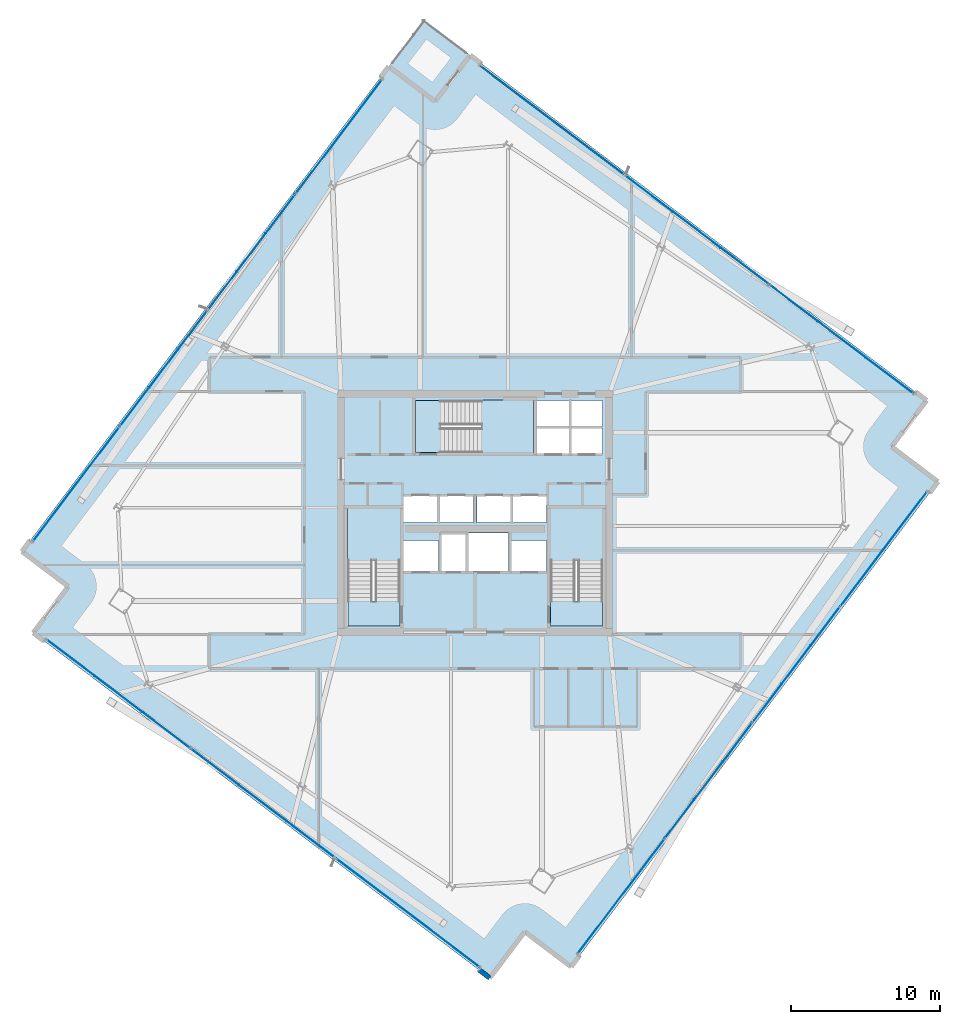
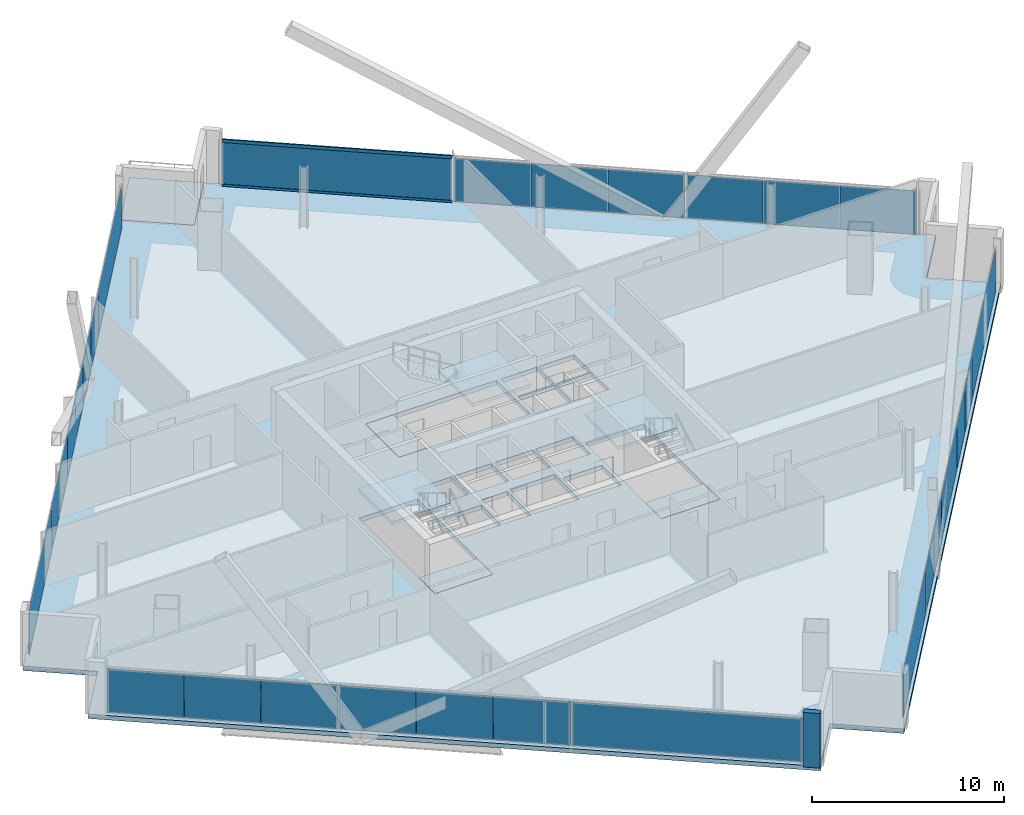
# One storey, part 25 of 34: 30 plates, 8 slabs, 2 members, 1 wall, 7 elements without a shape of their own.
"""IFC4 building model written with IfcOpenShell, lengths in metres."""

from ifc_helpers import new_model, si_unit, direction, frame, frame_2d, origin, origin_2d, place, context, subcontext, project, spatial, polyline, rectangle, hollow_rectangle, outline, extrude, source, transform, mapped, material, layer, layer_set, material_profile, profile_set, type_object, element, aggregate, save


model = new_model("IFC4")

# Units and contexts
model_context = context("Model", 3, precision=1e-05, world=origin(), true_north=direction((0.0, 1.0)))
body_context = subcontext(model_context, "Body", "Model", "MODEL_VIEW")
ifc_project = project(units=[si_unit("LENGTHUNIT", "METRE"), si_unit("AREAUNIT", "SQUARE_METRE"), si_unit("VOLUMEUNIT", "CUBIC_METRE"), si_unit("PLANEANGLEUNIT", "RADIAN"), si_unit("MASSUNIT", "GRAM", prefix="KILO")], contexts=[model_context])

# Site, building, storey
site_placement = place(None, origin())
site = spatial("IfcSite", under=ifc_project, at=site_placement, CompositionType="ELEMENT")
building_placement = place(site_placement, origin())
building = spatial("IfcBuilding", under=site, at=building_placement, Name="Haldenkirk Collegiate Tower", CompositionType="ELEMENT")
storey_placement = place(building_placement, frame((0.0, 0.0, 205.949951171875)))
storey = spatial("IfcBuildingStorey", under=building, at=storey_placement, Name="L51", CompositionType="ELEMENT", Elevation=205.949951171875)

# Curtain wall, members
ifc_material_1 = material(Name="Anodised architectural bronze aluminium", Category="aluminium")
curtain_wall_type_1 = type_object("IfcCurtainWallType", Name="CW-SYS1B-CONVEX-HI", PredefinedType="USERDEFINED", material=ifc_material_1)
curtain_wall_1_placement = place(storey_placement, origin())
curtain_wall_1 = element("IfcCurtainWall", 1, at=curtain_wall_1_placement, inside=storey, type_object=curtain_wall_type_1, Name="L51 Upper tower high-wind convex bronze unitised curtain wall", ObjectType="UNITISED CURTAIN WALL", PredefinedType="USERDEFINED")
ifc_material_profile = material_profile(ifc_material_1, hollow_rectangle(XDim=0.0849609375, YDim=0.199951171875, WallThickness=0.0048828125, at=origin_2d()), Name="CW-TRN-1B")
ifc_profile_set = profile_set([ifc_material_profile], Name="Anodised architectural bronze aluminium")
member_type = type_object("IfcMemberType", Name="CW-TRN-1B", PredefinedType="USERDEFINED", material=ifc_profile_set)
member_1_placement = place(storey_placement, frame((36.34033203125, 55.98388671875, 0.04248046875), z_axis=(0.797586241756, -0.60320492949, 0.0), x_axis=(0.60320492949, 0.797586241756, 0.0)))
member_1 = element("IfcMember", 2, at=member_1_placement, type_object=member_type, Name="CW-1B transom 1.1", ObjectType="TRANSOM", PredefinedType="USERDEFINED", context=body_context, shape_type="SweptSolid", body=[
    extrude(hollow_rectangle(XDim=0.0849609375, YDim=0.199951171875, WallThickness=0.0048828125, at=origin_2d()), origin(), (0.0, 0.0, 1.0), 12.072509765625),
])
member_2_placement = place(storey_placement, frame((36.34033203125, 55.98388671875, 2.885498046875), z_axis=(0.797586241756, -0.60320492949, 0.0), x_axis=(0.60320492949, 0.797586241756, 0.0)))
member_2 = element("IfcMember", 3, at=member_2_placement, type_object=member_type, Name="CW-1B transom 1.2", ObjectType="TRANSOM", PredefinedType="USERDEFINED", context=body_context, shape_type="SweptSolid", body=[
    extrude(hollow_rectangle(XDim=0.0849609375, YDim=0.199951171875, WallThickness=0.0048828125, at=origin_2d()), origin(), (0.0, 0.0, 1.0), 12.072509765625),
])

# Slab
ifc_material_2 = material(Name="Concrete f'c 40 MPa", Category="concrete")
ifc_layer_1 = layer(ifc_material_2, 0.280029296875)
ifc_layer_set_1 = layer_set([ifc_layer_1], Name="Concrete f'c 40 MPa")
slab_type_1 = type_object("IfcSlabType", Name="SLB-FLR-280", PredefinedType="FLOOR", material=ifc_layer_set_1)
slab_1_placement = place(storey_placement, frame((0.0, 0.0, -0.280029296875)))
element("IfcSlab", 4, at=slab_1_placement, inside=storey, type_object=slab_type_1, Name="L51 composite structural floor slab", PredefinedType="FLOOR", context=body_context, shape_type="SweptSolid", body=[
    extrude(outline(polyline([(42.437744140625, -4.446044921875), (67.048583984375, 28.09521484375), (63.93798828125, 30.44775390625), (66.29052734375, 33.558349609375), (35.663330078125, 56.7216796875), (33.310791015625, 53.611083984375), (30.2001953125, 55.96337890625), (5.58935546875, 23.422119140625), (8.699951171875, 21.069580078125), (6.347412109375, 17.958984375), (36.974609375, -5.2041015625), (39.3271484375, -2.093505859375), (42.437744140625, -4.446044921875)]), holes=[polyline([(27.449951171875, 18.39990234375), (30.949951171875, 18.39990234375), (30.949951171875, 26.300048828125), (27.449951171875, 26.300048828125), (27.449951171875, 18.39990234375)]), polyline([(41.050048828125, 18.39990234375), (44.550048828125, 18.39990234375), (44.550048828125, 26.300048828125), (41.050048828125, 26.300048828125), (41.050048828125, 18.39990234375)]), polyline([(32.0, 30.050048828125), (39.89990234375, 30.050048828125), (39.89990234375, 33.550048828125), (32.0, 33.550048828125), (32.0, 30.050048828125)]), polyline([(33.75, 22.10009765625), (35.35009765625, 22.10009765625), (35.35009765625, 24.550048828125), (33.75, 24.550048828125), (33.75, 22.10009765625)]), polyline([(40.14990234375, 29.949951171875), (42.320068359375, 29.949951171875), (42.320068359375, 31.699951171875), (40.14990234375, 31.699951171875), (40.14990234375, 29.949951171875)]), polyline([(42.419921875, 29.949951171875), (44.550048828125, 29.949951171875), (44.550048828125, 31.699951171875), (42.419921875, 31.699951171875), (42.419921875, 29.949951171875)]), polyline([(40.14990234375, 31.800048828125), (42.320068359375, 31.800048828125), (42.320068359375, 33.550048828125), (40.14990234375, 33.550048828125), (40.14990234375, 31.800048828125)]), polyline([(42.419921875, 31.800048828125), (44.550048828125, 31.800048828125), (44.550048828125, 33.550048828125), (42.419921875, 33.550048828125), (42.419921875, 31.800048828125)]), polyline([(31.199951171875, 25.35009765625), (33.47998046875, 25.35009765625), (33.47998046875, 27.14990234375), (31.199951171875, 27.14990234375), (31.199951171875, 25.35009765625)]), polyline([(33.60009765625, 25.35009765625), (35.8798828125, 25.35009765625), (35.8798828125, 27.14990234375), (33.60009765625, 27.14990234375), (33.60009765625, 25.35009765625)]), polyline([(36.1201171875, 25.35009765625), (38.39990234375, 25.35009765625), (38.39990234375, 27.14990234375), (36.1201171875, 27.14990234375), (36.1201171875, 25.35009765625)]), polyline([(38.52001953125, 25.35009765625), (40.800048828125, 25.35009765625), (40.800048828125, 27.14990234375), (38.52001953125, 27.14990234375), (38.52001953125, 25.35009765625)]), polyline([(31.199951171875, 22.10009765625), (33.550048828125, 22.10009765625), (33.550048828125, 24.14990234375), (31.199951171875, 24.14990234375), (31.199951171875, 22.10009765625)]), polyline([(38.449951171875, 22.10009765625), (40.800048828125, 22.10009765625), (40.800048828125, 24.14990234375), (38.449951171875, 24.14990234375), (38.449951171875, 22.10009765625)]), polyline([(35.550048828125, 22.10009765625), (38.25, 22.10009765625), (38.25, 24.64990234375), (35.550048828125, 24.64990234375), (35.550048828125, 22.10009765625)])]), origin(), (0.0, 0.0, 1.0), 0.280029296875),
])

# Stair, slab
stair_type = type_object("IfcStairType", Name="STR-DOGLEG-1650", PredefinedType="HALF_TURN_STAIR", material=ifc_material_2)
stair_1_placement = place(storey_placement, origin())
stair_1 = element("IfcStair", 5, at=stair_1_placement, inside=storey, type_object=stair_type, Name="L51 Core Exit Stair ST-1", PredefinedType="HALF_TURN_STAIR")
ifc_layer_2 = layer(ifc_material_2, 0.199951171875)
ifc_layer_set_2 = layer_set([ifc_layer_2], Name="Concrete f'c 40 MPa")
slab_type_2 = type_object("IfcSlabType", Name="SLB-LANDING-200", PredefinedType="LANDING", material=ifc_layer_set_2)
slab_2_placement = place(storey_placement, frame((0.0, 0.0, 1.675048828125)))
slab_2 = element("IfcSlab", 6, at=slab_2_placement, type_object=slab_type_2, Name="ST-1 landing 1", PredefinedType="LANDING", context=body_context, shape_type="SweptSolid", body=[
    extrude(outline(polyline([(30.97509765625, 22.824951171875), (27.425048828125, 22.824951171875), (27.425048828125, 26.324951171875), (30.97509765625, 26.324951171875), (30.97509765625, 22.824951171875)])), origin(), (0.0, 0.0, 1.0), 0.199951171875),
])
aggregate(stair_1, [slab_2])

stair_2_placement = place(storey_placement, origin())
stair_2 = element("IfcStair", 7, at=stair_2_placement, inside=storey, type_object=stair_type, Name="L51 Core Exit Stair ST-2", PredefinedType="HALF_TURN_STAIR")
slab_3_placement = place(storey_placement, frame((0.0, 0.0, 1.675048828125)))
slab_3 = element("IfcSlab", 8, at=slab_3_placement, type_object=slab_type_2, Name="ST-2 landing 1", PredefinedType="LANDING", context=body_context, shape_type="SweptSolid", body=[
    extrude(outline(polyline([(44.574951171875, 22.824951171875), (41.02490234375, 22.824951171875), (41.02490234375, 26.324951171875), (44.574951171875, 26.324951171875), (44.574951171875, 22.824951171875)])), origin(), (0.0, 0.0, 1.0), 0.199951171875),
])
aggregate(stair_2, [slab_3])

stair_3_placement = place(storey_placement, origin())
stair_3 = element("IfcStair", 9, at=stair_3_placement, inside=storey, type_object=stair_type, Name="L51 Core Exit Stair ST-3", PredefinedType="HALF_TURN_STAIR")
slab_4_placement = place(storey_placement, frame((0.0, 0.0, 1.675048828125)))
slab_4 = element("IfcSlab", 10, at=slab_4_placement, type_object=slab_type_2, Name="ST-3 landing 1", PredefinedType="LANDING", context=body_context, shape_type="SweptSolid", body=[
    extrude(outline(polyline([(36.425048828125, 30.02490234375), (36.425048828125, 33.574951171875), (39.925048828125, 33.574951171875), (39.925048828125, 30.02490234375), (36.425048828125, 30.02490234375)])), origin(), (0.0, 0.0, 1.0), 0.199951171875),
])
aggregate(stair_3, [slab_4])

# Slabs
ifc_layer_3 = layer(ifc_material_2, 0.25)
ifc_layer_set_3 = layer_set([ifc_layer_3], Name="Concrete f'c 40 MPa")
slab_type_3 = type_object("IfcSlabType", Name="SLB-STAIRLAND-250", PredefinedType="LANDING", material=ifc_layer_set_3)
slab_5_placement = place(storey_placement, frame((0.0, 0.0, -0.25)))
element("IfcSlab", 11, at=slab_5_placement, inside=storey, type_object=slab_type_3, Name="L51 stair ST1 structural floor landing slab", PredefinedType="LANDING", context=body_context, shape_type="SweptSolid", body=[
    extrude(outline(polyline([(27.4599609375, 18.409912109375), (30.93994140625, 18.409912109375), (30.93994140625, 20.080078125), (27.4599609375, 20.080078125), (27.4599609375, 18.409912109375)])), origin(), (0.0, 0.0, 1.0), 0.25),
])
slab_6_placement = place(storey_placement, frame((0.0, 0.0, -0.25)))
element("IfcSlab", 12, at=slab_6_placement, inside=storey, type_object=slab_type_3, Name="L51 stair ST2 structural floor landing slab", PredefinedType="LANDING", context=body_context, shape_type="SweptSolid", body=[
    extrude(outline(polyline([(41.06005859375, 18.409912109375), (44.5400390625, 18.409912109375), (44.5400390625, 20.080078125), (41.06005859375, 20.080078125), (41.06005859375, 18.409912109375)])), origin(), (0.0, 0.0, 1.0), 0.25),
])
slab_7_placement = place(storey_placement, frame((0.0, 0.0, -0.25)))
element("IfcSlab", 13, at=slab_7_placement, inside=storey, type_object=slab_type_3, Name="L51 stair ST3 structural floor landing slab", PredefinedType="LANDING", context=body_context, shape_type="SweptSolid", body=[
    extrude(outline(polyline([(32.010009765625, 30.06005859375), (33.679931640625, 30.06005859375), (33.679931640625, 33.5400390625), (32.010009765625, 33.5400390625), (32.010009765625, 30.06005859375)])), origin(), (0.0, 0.0, 1.0), 0.25),
])
ifc_layer_4 = layer(ifc_material_2, 0.22998046875)
ifc_layer_set_4 = layer_set([ifc_layer_4], Name="Concrete f'c 40 MPa")
slab_type_4 = type_object("IfcSlabType", Name="SLB-TERR-SPIRAL-230", PredefinedType="FLOOR", material=ifc_layer_set_4)
slab_8_placement = place(storey_placement, frame((0.0, 0.0, -0.22998046875)))
element("IfcSlab", 14, at=slab_8_placement, inside=storey, type_object=slab_type_4, Name="L51 spiralling corner terrace slab", PredefinedType="FLOOR", context=body_context, shape_type="SweptSolid", body=[
    extrude(outline(polyline([(33.310791015625, 53.611083984375), (35.663330078125, 56.7216796875), (32.552734375, 59.07421875), (30.2001953125, 55.96337890625), (33.310791015625, 53.611083984375)])), origin(), (0.0, 0.0, 1.0), 0.22998046875),
])

# Curtain wall, plates
curtain_wall_type_2 = type_object("IfcCurtainWallType", Name="CW-SYS2-CONCAVE", PredefinedType="USERDEFINED", material=ifc_material_1)
curtain_wall_2_placement = place(storey_placement, origin())
curtain_wall_2 = element("IfcCurtainWall", 15, at=curtain_wall_2_placement, inside=storey, type_object=curtain_wall_type_2, Name="L51 South concave recessed bronze-anodised curtain wall", ObjectType="UNITISED CURTAIN WALL", PredefinedType="USERDEFINED")
ifc_material_3 = material(Name="Low-E argon triple insulating glass", Category="glass")
ifc_layer_5 = layer(ifc_material_3, 0.0419921875)
ifc_layer_set_5 = layer_set([ifc_layer_5], Name="Low-E argon triple insulating glass")
plate_type_1 = type_object("IfcPlateType", Name="CW-PNL-02", PredefinedType="CURTAIN_PANEL", material=ifc_layer_set_5)
shared_shape_1 = source(origin(), body_context, "Body", "SweptSolid", [
    extrude(rectangle(XDim=9.637451171875, YDim=0.0419921875, at=origin_2d()), origin(), (0.0, 0.0, 1.0), 2.778076171875),
])
plate_1_placement = place(storey_placement, frame((63.41015625, 23.5830078125, 0.0751953125), z_axis=(0.0, 0.0, 1.0), x_axis=(-0.6032074695, -0.797584320771, 0.0)))
plate_1 = element("IfcPlate", 16, at=plate_1_placement, type_object=plate_type_1, Name="CW-02 panel 1.1", PredefinedType="CURTAIN_PANEL", context=body_context, shape_type="MappedRepresentation", body=[
    mapped(shared_shape_1, transform((0.0, 0.0, 0.0), x_axis=(1.0, 0.0, 0.0), y_axis=(0.0, 1.0, 0.0), z_axis=(0.0, 0.0, 1.0), scale=1.0)),
])
plate_2_placement = place(storey_placement, frame((45.7890625, 0.283447265625, 0.0751953125), z_axis=(0.0, 0.0, 1.0), x_axis=(-0.6032074695, -0.797584320771, 0.0)))
plate_2 = element("IfcPlate", 17, at=plate_2_placement, type_object=plate_type_1, Name="CW-02 panel 4.1", PredefinedType="CURTAIN_PANEL", context=body_context, shape_type="MappedRepresentation", body=[
    mapped(shared_shape_1, transform((0.0, 0.0, 0.0), x_axis=(1.0, 0.0, 0.0), y_axis=(0.0, 1.0, 0.0), z_axis=(0.0, 0.0, 1.0), scale=1.0)),
])
shared_shape_2 = source(origin(), body_context, "Body", "SweptSolid", [
    extrude(rectangle(XDim=3.21240234375, YDim=0.0419921875, at=origin_2d()), origin(), (0.0, 0.0, 1.0), 2.778076171875),
])
plate_3_placement = place(storey_placement, frame((59.489501953125, 18.398681640625, 0.0751953125), z_axis=(0.0, 0.0, 1.0), x_axis=(-0.6032074695, -0.797584320771, 0.0)))
plate_3 = element("IfcPlate", 18, at=plate_3_placement, type_object=plate_type_1, Name="CW-02 panel 2.1a", PredefinedType="CURTAIN_PANEL", context=body_context, shape_type="MappedRepresentation", body=[
    mapped(shared_shape_2, transform((0.0, 0.0, 0.0), x_axis=(1.0, 0.0, 0.0), y_axis=(0.0, 1.0, 0.0), z_axis=(0.0, 0.0, 1.0), scale=1.0)),
])
ifc_material_4 = material(Name="Bronze-anodised insulated aluminium spandrel panel", Category="aluminium")
ifc_layer_6 = layer(ifc_material_4, 0.0419921875)
ifc_layer_set_6 = layer_set([ifc_layer_6], Name="Bronze-anodised insulated aluminium spandrel panel")
plate_type_2 = type_object("IfcPlateType", Name="CW-SPD-02", PredefinedType="CURTAIN_PANEL", material=ifc_layer_set_6)
plate_4_placement = place(storey_placement, frame((55.59130859375, 13.244140625, 0.0751953125), z_axis=(0.0, 0.0, 1.0), x_axis=(-0.6032074695, -0.797584320771, 0.0)))
plate_4 = element("IfcPlate", 19, at=plate_4_placement, type_object=plate_type_2, Name="CW-02 spandrel panel 2.1c", PredefinedType="CURTAIN_PANEL", context=body_context, shape_type="MappedRepresentation", body=[
    mapped(shared_shape_2, transform((0.0, 0.0, 0.0), x_axis=(1.0, 0.0, 0.0), y_axis=(0.0, 1.0, 0.0), z_axis=(0.0, 0.0, 1.0), scale=1.0)),
])
plate_5_placement = place(storey_placement, frame((53.608154296875, 10.622314453125, 0.0751953125), z_axis=(0.0, 0.0, 1.0), x_axis=(-0.6032074695, -0.797584320771, 0.0)))
plate_5 = element("IfcPlate", 20, at=plate_5_placement, type_object=plate_type_2, Name="CW-02 spandrel panel 3.1a", PredefinedType="CURTAIN_PANEL", context=body_context, shape_type="MappedRepresentation", body=[
    mapped(shared_shape_2, transform((0.0, 0.0, 0.0), x_axis=(1.0, 0.0, 0.0), y_axis=(0.0, 1.0, 0.0), z_axis=(0.0, 0.0, 1.0), scale=1.0)),
])
plate_6_placement = place(storey_placement, frame((49.7099609375, 5.4677734375, 0.0751953125), z_axis=(0.0, 0.0, 1.0), x_axis=(-0.6032074695, -0.797584320771, 0.0)))
plate_6 = element("IfcPlate", 21, at=plate_6_placement, type_object=plate_type_2, Name="CW-02 spandrel panel 3.1c", PredefinedType="CURTAIN_PANEL", context=body_context, shape_type="MappedRepresentation", body=[
    mapped(shared_shape_2, transform((0.0, 0.0, 0.0), x_axis=(1.0, 0.0, 0.0), y_axis=(0.0, 1.0, 0.0), z_axis=(0.0, 0.0, 1.0), scale=1.0)),
])
shared_shape_3 = source(origin(), body_context, "Body", "SweptSolid", [
    extrude(rectangle(XDim=3.199951171875, YDim=0.0419921875, at=origin_2d()), origin(), (0.0, 0.0, 1.0), 2.778076171875),
])
plate_7_placement = place(storey_placement, frame((57.540283203125, 15.8212890625, 0.0751953125), z_axis=(0.0, 0.0, 1.0), x_axis=(-0.6032074695, -0.797584320771, 0.0)))
plate_7 = element("IfcPlate", 22, at=plate_7_placement, type_object=plate_type_1, Name="CW-02 panel 2.1b", PredefinedType="CURTAIN_PANEL", context=body_context, shape_type="MappedRepresentation", body=[
    mapped(shared_shape_3, transform((0.0, 0.0, 0.0), x_axis=(1.0, 0.0, 0.0), y_axis=(0.0, 1.0, 0.0), z_axis=(0.0, 0.0, 1.0), scale=1.0)),
])
plate_8_placement = place(storey_placement, frame((51.658935546875, 8.044921875, 0.0751953125), z_axis=(0.0, 0.0, 1.0), x_axis=(-0.6032074695, -0.797584320771, 0.0)))
plate_8 = element("IfcPlate", 23, at=plate_8_placement, type_object=plate_type_2, Name="CW-02 spandrel panel 3.1b", PredefinedType="CURTAIN_PANEL", context=body_context, shape_type="MappedRepresentation", body=[
    mapped(shared_shape_3, transform((0.0, 0.0, 0.0), x_axis=(1.0, 0.0, 0.0), y_axis=(0.0, 1.0, 0.0), z_axis=(0.0, 0.0, 1.0), scale=1.0)),
])
aggregate(curtain_wall_2, [plate_1, plate_3, plate_7, plate_4, plate_5, plate_8, plate_6, plate_2])

# Plate
ifc_layer_7 = layer(ifc_material_3, 0.048095703125)
ifc_layer_set_7 = layer_set([ifc_layer_7], Name="Low-E argon triple insulating glass")
plate_type_3 = type_object("IfcPlateType", Name="CW-PNL-1B", PredefinedType="CURTAIN_PANEL", material=ifc_layer_set_7)
shared_shape_4 = source(origin(), body_context, "Body", "SweptSolid", [
    extrude(rectangle(XDim=12.072509765625, YDim=0.048095703125, at=origin_2d()), origin(), (0.0, 0.0, 1.0), 2.758056640625),
])
plate_9_placement = place(storey_placement, frame((41.15478515625, 52.3427734375, 0.0849609375), z_axis=(0.0, 0.0, 1.0), x_axis=(0.797584371589, -0.603207402306, 0.0)))
plate_9 = element("IfcPlate", 24, at=plate_9_placement, type_object=plate_type_3, Name="CW-1B panel 1.1", PredefinedType="CURTAIN_PANEL", context=body_context, shape_type="MappedRepresentation", body=[
    mapped(shared_shape_4, transform((0.0, 0.0, 0.0), x_axis=(1.0, 0.0, 0.0), y_axis=(0.0, 1.0, 0.0), z_axis=(0.0, 0.0, 1.0), scale=1.0)),
])

# Curtain wall, plate
curtain_wall_3_placement = place(storey_placement, origin())
curtain_wall_3 = element("IfcCurtainWall", 25, at=curtain_wall_3_placement, inside=storey, type_object=curtain_wall_type_1, Name="L51 Upper tower high-wind convex bronze unitised curtain wall", ObjectType="UNITISED CURTAIN WALL", PredefinedType="USERDEFINED")
plate_10_placement = place(storey_placement, frame((31.4833984375, -0.8251953125, 0.0849609375), z_axis=(0.0, 0.0, 1.0), x_axis=(-0.797584371589, 0.603207402306, 0.0)))
plate_10 = element("IfcPlate", 26, at=plate_10_placement, type_object=plate_type_3, Name="CW-1B panel 1.1", PredefinedType="CURTAIN_PANEL", context=body_context, shape_type="MappedRepresentation", body=[
    mapped(shared_shape_4, transform((0.0, 0.0, 0.0), x_axis=(1.0, 0.0, 0.0), y_axis=(0.0, 1.0, 0.0), z_axis=(0.0, 0.0, 1.0), scale=1.0)),
])

# Plate
shared_shape_5 = source(origin(), body_context, "Body", "SweptSolid", [
    extrude(rectangle(XDim=4.02587890625, YDim=0.048095703125, at=origin_2d()), origin(), (0.0, 0.0, 1.0), 2.758056640625),
])
plate_11_placement = place(storey_placement, frame((47.642578125, 47.43603515625, 0.0849609375), z_axis=(0.0, 0.0, 1.0), x_axis=(0.797584371589, -0.603207402306, 0.0)))
plate_11 = element("IfcPlate", 27, at=plate_11_placement, type_object=plate_type_3, Name="CW-1B panel 2.1a", PredefinedType="CURTAIN_PANEL", context=body_context, shape_type="MappedRepresentation", body=[
    mapped(shared_shape_5, transform((0.0, 0.0, 0.0), x_axis=(1.0, 0.0, 0.0), y_axis=(0.0, 1.0, 0.0), z_axis=(0.0, 0.0, 1.0), scale=1.0)),
])

ifc_layer_8 = layer(ifc_material_4, 0.048095703125)
ifc_layer_set_8 = layer_set([ifc_layer_8], Name="Bronze-anodised insulated aluminium spandrel panel")
plate_type_4 = type_object("IfcPlateType", Name="CW-SPD-1B", PredefinedType="CURTAIN_PANEL", material=ifc_layer_set_8)
plate_12_placement = place(storey_placement, frame((54.09423828125, 42.556640625, 0.0849609375), z_axis=(0.0, 0.0, 1.0), x_axis=(0.797584371589, -0.603207402306, 0.0)))
plate_12 = element("IfcPlate", 28, at=plate_12_placement, type_object=plate_type_4, Name="CW-1B spandrel panel 2.1c", PredefinedType="CURTAIN_PANEL", context=body_context, shape_type="MappedRepresentation", body=[
    mapped(shared_shape_5, transform((0.0, 0.0, 0.0), x_axis=(1.0, 0.0, 0.0), y_axis=(0.0, 1.0, 0.0), z_axis=(0.0, 0.0, 1.0), scale=1.0)),
])

plate_13_placement = place(storey_placement, frame((24.99560546875, 4.081298828125, 0.0849609375), z_axis=(0.0, 0.0, 1.0), x_axis=(-0.797584371589, 0.603207402306, 0.0)))
plate_13 = element("IfcPlate", 29, at=plate_13_placement, type_object=plate_type_3, Name="CW-1B panel 2.1a", PredefinedType="CURTAIN_PANEL", context=body_context, shape_type="MappedRepresentation", body=[
    mapped(shared_shape_5, transform((0.0, 0.0, 0.0), x_axis=(1.0, 0.0, 0.0), y_axis=(0.0, 1.0, 0.0), z_axis=(0.0, 0.0, 1.0), scale=1.0)),
])

plate_14_placement = place(storey_placement, frame((18.543701171875, 8.960693359375, 0.0849609375), z_axis=(0.0, 0.0, 1.0), x_axis=(-0.797584371589, 0.603207402306, 0.0)))
plate_14 = element("IfcPlate", 30, at=plate_14_placement, type_object=plate_type_4, Name="CW-1B spandrel panel 2.1c", PredefinedType="CURTAIN_PANEL", context=body_context, shape_type="MappedRepresentation", body=[
    mapped(shared_shape_5, transform((0.0, 0.0, 0.0), x_axis=(1.0, 0.0, 0.0), y_axis=(0.0, 1.0, 0.0), z_axis=(0.0, 0.0, 1.0), scale=1.0)),
])

shared_shape_6 = source(origin(), body_context, "Body", "SweptSolid", [
    extrude(rectangle(XDim=4.01318359375, YDim=0.048095703125, at=origin_2d()), origin(), (0.0, 0.0, 1.0), 2.758056640625),
])
plate_15_placement = place(storey_placement, frame((50.868408203125, 44.996337890625, 0.0849609375), z_axis=(0.0, 0.0, 1.0), x_axis=(0.797584371589, -0.603207402306, 0.0)))
plate_15 = element("IfcPlate", 31, at=plate_15_placement, type_object=plate_type_4, Name="CW-1B spandrel panel 2.1b", PredefinedType="CURTAIN_PANEL", context=body_context, shape_type="MappedRepresentation", body=[
    mapped(shared_shape_6, transform((0.0, 0.0, 0.0), x_axis=(1.0, 0.0, 0.0), y_axis=(0.0, 1.0, 0.0), z_axis=(0.0, 0.0, 1.0), scale=1.0)),
])

plate_16_placement = place(storey_placement, frame((21.769775390625, 6.52099609375, 0.0849609375), z_axis=(0.0, 0.0, 1.0), x_axis=(-0.797584371589, 0.603207402306, 0.0)))
plate_16 = element("IfcPlate", 32, at=plate_16_placement, type_object=plate_type_4, Name="CW-1B spandrel panel 2.1b", PredefinedType="CURTAIN_PANEL", context=body_context, shape_type="MappedRepresentation", body=[
    mapped(shared_shape_6, transform((0.0, 0.0, 0.0), x_axis=(1.0, 0.0, 0.0), y_axis=(0.0, 1.0, 0.0), z_axis=(0.0, 0.0, 1.0), scale=1.0)),
])

shared_shape_7 = source(origin(), body_context, "Body", "SweptSolid", [
    extrude(rectangle(XDim=4.01171875, YDim=0.048095703125, at=origin_2d()), origin(), (0.0, 0.0, 1.0), 2.758056640625),
])
plate_17_placement = place(storey_placement, frame((57.367431640625, 40.081298828125, 0.0849609375), z_axis=(0.0, 0.0, 1.0), x_axis=(0.797584371589, -0.603207402306, 0.0)))
plate_17 = element("IfcPlate", 33, at=plate_17_placement, type_object=plate_type_4, Name="CW-1B spandrel panel 3.1a", PredefinedType="CURTAIN_PANEL", context=body_context, shape_type="MappedRepresentation", body=[
    mapped(shared_shape_7, transform((0.0, 0.0, 0.0), x_axis=(1.0, 0.0, 0.0), y_axis=(0.0, 1.0, 0.0), z_axis=(0.0, 0.0, 1.0), scale=1.0)),
])

plate_18_placement = place(storey_placement, frame((63.796630859375, 35.218994140625, 0.0849609375), z_axis=(0.0, 0.0, 1.0), x_axis=(0.797584371589, -0.603207402306, 0.0)))
plate_18 = element("IfcPlate", 34, at=plate_18_placement, type_object=plate_type_3, Name="CW-1B panel 3.1c", PredefinedType="CURTAIN_PANEL", context=body_context, shape_type="MappedRepresentation", body=[
    mapped(shared_shape_7, transform((0.0, 0.0, 0.0), x_axis=(1.0, 0.0, 0.0), y_axis=(0.0, 1.0, 0.0), z_axis=(0.0, 0.0, 1.0), scale=1.0)),
])

plate_19_placement = place(storey_placement, frame((15.270751953125, 11.43603515625, 0.0849609375), z_axis=(0.0, 0.0, 1.0), x_axis=(-0.797584371589, 0.603207402306, 0.0)))
plate_19 = element("IfcPlate", 35, at=plate_19_placement, type_object=plate_type_4, Name="CW-1B spandrel panel 3.1a", PredefinedType="CURTAIN_PANEL", context=body_context, shape_type="MappedRepresentation", body=[
    mapped(shared_shape_7, transform((0.0, 0.0, 0.0), x_axis=(1.0, 0.0, 0.0), y_axis=(0.0, 1.0, 0.0), z_axis=(0.0, 0.0, 1.0), scale=1.0)),
])

plate_20_placement = place(storey_placement, frame((8.841552734375, 16.298583984375, 0.0849609375), z_axis=(0.0, 0.0, 1.0), x_axis=(-0.797584371589, 0.603207402306, 0.0)))
plate_20 = element("IfcPlate", 36, at=plate_20_placement, type_object=plate_type_3, Name="CW-1B panel 3.1c", PredefinedType="CURTAIN_PANEL", context=body_context, shape_type="MappedRepresentation", body=[
    mapped(shared_shape_7, transform((0.0, 0.0, 0.0), x_axis=(1.0, 0.0, 0.0), y_axis=(0.0, 1.0, 0.0), z_axis=(0.0, 0.0, 1.0), scale=1.0)),
])

shared_shape_8 = source(origin(), body_context, "Body", "SweptSolid", [
    extrude(rectangle(XDim=3.999267578125, YDim=0.048095703125, at=origin_2d()), origin(), (0.0, 0.0, 1.0), 2.758056640625),
])
plate_21_placement = place(storey_placement, frame((60.58203125, 37.650146484375, 0.0849609375), z_axis=(0.0, 0.0, 1.0), x_axis=(0.797584371589, -0.603207402306, 0.0)))
plate_21 = element("IfcPlate", 37, at=plate_21_placement, type_object=plate_type_3, Name="CW-1B panel 3.1b", PredefinedType="CURTAIN_PANEL", context=body_context, shape_type="MappedRepresentation", body=[
    mapped(shared_shape_8, transform((0.0, 0.0, 0.0), x_axis=(1.0, 0.0, 0.0), y_axis=(0.0, 1.0, 0.0), z_axis=(0.0, 0.0, 1.0), scale=1.0)),
])

aggregate(curtain_wall_1, [member_1, member_2, plate_9, plate_11, plate_15, plate_12, plate_17, plate_21, plate_18])

plate_22_placement = place(storey_placement, frame((12.05615234375, 13.8671875, 0.0849609375), z_axis=(0.0, 0.0, 1.0), x_axis=(-0.797584371589, 0.603207402306, 0.0)))
plate_22 = element("IfcPlate", 38, at=plate_22_placement, type_object=plate_type_3, Name="CW-1B panel 3.1b", PredefinedType="CURTAIN_PANEL", context=body_context, shape_type="MappedRepresentation", body=[
    mapped(shared_shape_8, transform((0.0, 0.0, 0.0), x_axis=(1.0, 0.0, 0.0), y_axis=(0.0, 1.0, 0.0), z_axis=(0.0, 0.0, 1.0), scale=1.0)),
])

aggregate(curtain_wall_3, [plate_10, plate_13, plate_16, plate_14, plate_19, plate_22, plate_20])

# Curtain wall, plates
curtain_wall_4_placement = place(storey_placement, origin())
curtain_wall_4 = element("IfcCurtainWall", 39, at=curtain_wall_4_placement, inside=storey, type_object=curtain_wall_type_1, Name="L51 Upper tower high-wind convex bronze unitised curtain wall", ObjectType="UNITISED CURTAIN WALL", PredefinedType="USERDEFINED")
shared_shape_9 = source(origin(), body_context, "Body", "SweptSolid", [
    extrude(rectangle(XDim=9.62255859375, YDim=0.048095703125, at=origin_2d()), origin(), (0.0, 0.0, 1.0), 2.758056640625),
])
plate_23_placement = place(storey_placement, frame((9.229248046875, 27.9365234375, 0.0849609375), z_axis=(0.0, 0.0, 1.0), x_axis=(0.6032074695, 0.797584320771, 0.0)))
plate_23 = element("IfcPlate", 40, at=plate_23_placement, type_object=plate_type_3, Name="CW-1B panel 1.1", PredefinedType="CURTAIN_PANEL", context=body_context, shape_type="MappedRepresentation", body=[
    mapped(shared_shape_9, transform((0.0, 0.0, 0.0), x_axis=(1.0, 0.0, 0.0), y_axis=(0.0, 1.0, 0.0), z_axis=(0.0, 0.0, 1.0), scale=1.0)),
])
plate_24_placement = place(storey_placement, frame((26.84765625, 51.23193359375, 0.0849609375), z_axis=(0.0, 0.0, 1.0), x_axis=(0.6032074695, 0.797584320771, 0.0)))
plate_24 = element("IfcPlate", 41, at=plate_24_placement, type_object=plate_type_3, Name="CW-1B panel 4.1", PredefinedType="CURTAIN_PANEL", context=body_context, shape_type="MappedRepresentation", body=[
    mapped(shared_shape_9, transform((0.0, 0.0, 0.0), x_axis=(1.0, 0.0, 0.0), y_axis=(0.0, 1.0, 0.0), z_axis=(0.0, 0.0, 1.0), scale=1.0)),
])
shared_shape_10 = source(origin(), body_context, "Body", "SweptSolid", [
    extrude(rectangle(XDim=3.209228515625, YDim=0.048095703125, at=origin_2d()), origin(), (0.0, 0.0, 1.0), 2.758056640625),
])
plate_25_placement = place(storey_placement, frame((13.150634765625, 33.121337890625, 0.0849609375), z_axis=(0.0, 0.0, 1.0), x_axis=(0.6032074695, 0.797584320771, 0.0)))
plate_25 = element("IfcPlate", 42, at=plate_25_placement, type_object=plate_type_3, Name="CW-1B panel 2.1a", PredefinedType="CURTAIN_PANEL", context=body_context, shape_type="MappedRepresentation", body=[
    mapped(shared_shape_10, transform((0.0, 0.0, 0.0), x_axis=(1.0, 0.0, 0.0), y_axis=(0.0, 1.0, 0.0), z_axis=(0.0, 0.0, 1.0), scale=1.0)),
])
plate_26_placement = place(storey_placement, frame((17.044921875, 38.2705078125, 0.0849609375), z_axis=(0.0, 0.0, 1.0), x_axis=(0.6032074695, 0.797584320771, 0.0)))
plate_26 = element("IfcPlate", 43, at=plate_26_placement, type_object=plate_type_4, Name="CW-1B spandrel panel 2.1c", PredefinedType="CURTAIN_PANEL", context=body_context, shape_type="MappedRepresentation", body=[
    mapped(shared_shape_10, transform((0.0, 0.0, 0.0), x_axis=(1.0, 0.0, 0.0), y_axis=(0.0, 1.0, 0.0), z_axis=(0.0, 0.0, 1.0), scale=1.0)),
])
plate_27_placement = place(storey_placement, frame((19.031982421875, 40.89794921875, 0.0849609375), z_axis=(0.0, 0.0, 1.0), x_axis=(0.6032074695, 0.797584320771, 0.0)))
plate_27 = element("IfcPlate", 44, at=plate_27_placement, type_object=plate_type_4, Name="CW-1B spandrel panel 3.1a", PredefinedType="CURTAIN_PANEL", context=body_context, shape_type="MappedRepresentation", body=[
    mapped(shared_shape_10, transform((0.0, 0.0, 0.0), x_axis=(1.0, 0.0, 0.0), y_axis=(0.0, 1.0, 0.0), z_axis=(0.0, 0.0, 1.0), scale=1.0)),
])
plate_28_placement = place(storey_placement, frame((22.92626953125, 46.047119140625, 0.0849609375), z_axis=(0.0, 0.0, 1.0), x_axis=(0.6032074695, 0.797584320771, 0.0)))
plate_28 = element("IfcPlate", 45, at=plate_28_placement, type_object=plate_type_3, Name="CW-1B panel 3.1c", PredefinedType="CURTAIN_PANEL", context=body_context, shape_type="MappedRepresentation", body=[
    mapped(shared_shape_10, transform((0.0, 0.0, 0.0), x_axis=(1.0, 0.0, 0.0), y_axis=(0.0, 1.0, 0.0), z_axis=(0.0, 0.0, 1.0), scale=1.0)),
])
shared_shape_11 = source(origin(), body_context, "Body", "SweptSolid", [
    extrude(rectangle(XDim=3.19677734375, YDim=0.048095703125, at=origin_2d()), origin(), (0.0, 0.0, 1.0), 2.758056640625),
])
plate_29_placement = place(storey_placement, frame((15.097900390625, 35.696044921875, 0.0849609375), z_axis=(0.0, 0.0, 1.0), x_axis=(0.6032074695, 0.797584320771, 0.0)))
plate_29 = element("IfcPlate", 46, at=plate_29_placement, type_object=plate_type_3, Name="CW-1B panel 2.1b", PredefinedType="CURTAIN_PANEL", context=body_context, shape_type="MappedRepresentation", body=[
    mapped(shared_shape_11, transform((0.0, 0.0, 0.0), x_axis=(1.0, 0.0, 0.0), y_axis=(0.0, 1.0, 0.0), z_axis=(0.0, 0.0, 1.0), scale=1.0)),
])
plate_30_placement = place(storey_placement, frame((20.97900390625, 43.472412109375, 0.0849609375), z_axis=(0.0, 0.0, 1.0), x_axis=(0.6032074695, 0.797584320771, 0.0)))
plate_30 = element("IfcPlate", 47, at=plate_30_placement, type_object=plate_type_4, Name="CW-1B spandrel panel 3.1b", PredefinedType="CURTAIN_PANEL", context=body_context, shape_type="MappedRepresentation", body=[
    mapped(shared_shape_11, transform((0.0, 0.0, 0.0), x_axis=(1.0, 0.0, 0.0), y_axis=(0.0, 1.0, 0.0), z_axis=(0.0, 0.0, 1.0), scale=1.0)),
])
aggregate(curtain_wall_4, [plate_23, plate_25, plate_29, plate_26, plate_27, plate_30, plate_28, plate_24])

# Wall
ifc_material_5 = material(Name="Precast concrete f'c 40 MPa", Category="concrete")
ifc_layer_9 = layer(ifc_material_5, 0.320068359375)
ifc_layer_set_9 = layer_set([ifc_layer_9], Name="Precast concrete f'c 40 MPa")
wall_type = type_object("IfcWallType", Name="WL-EXT-TWR-320", PredefinedType="STANDARD", material=ifc_layer_set_9)
wall_placement = place(storey_placement, frame((36.974609375, -5.2041015625, 0.0), z_axis=(0.0, 0.0, 1.0), x_axis=(-0.797649780925, 0.603120905781, 0.0)))
element("IfcWall", 48, at=wall_placement, inside=storey, type_object=wall_type, Name="L51 precast corner pier WL", PredefinedType="STANDARD", context=body_context, shape_type="SweptSolid", body=[
    extrude(rectangle(XDim=0.89990234375, YDim=0.320068359375, at=frame_2d((0.449951171875, 0.0))), origin(), (0.0, 0.0, 1.0), 3.469970703125),
])

save(model, "model.ifc")
